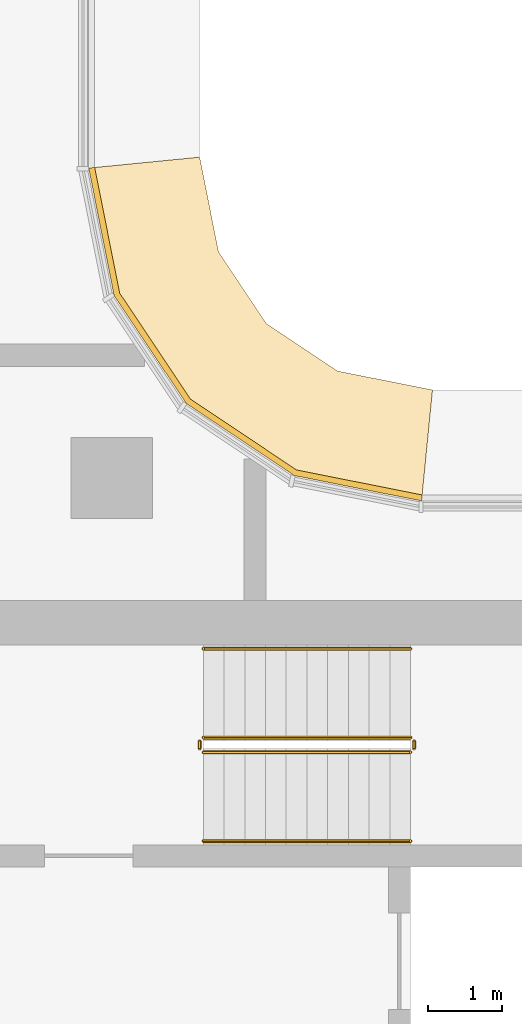
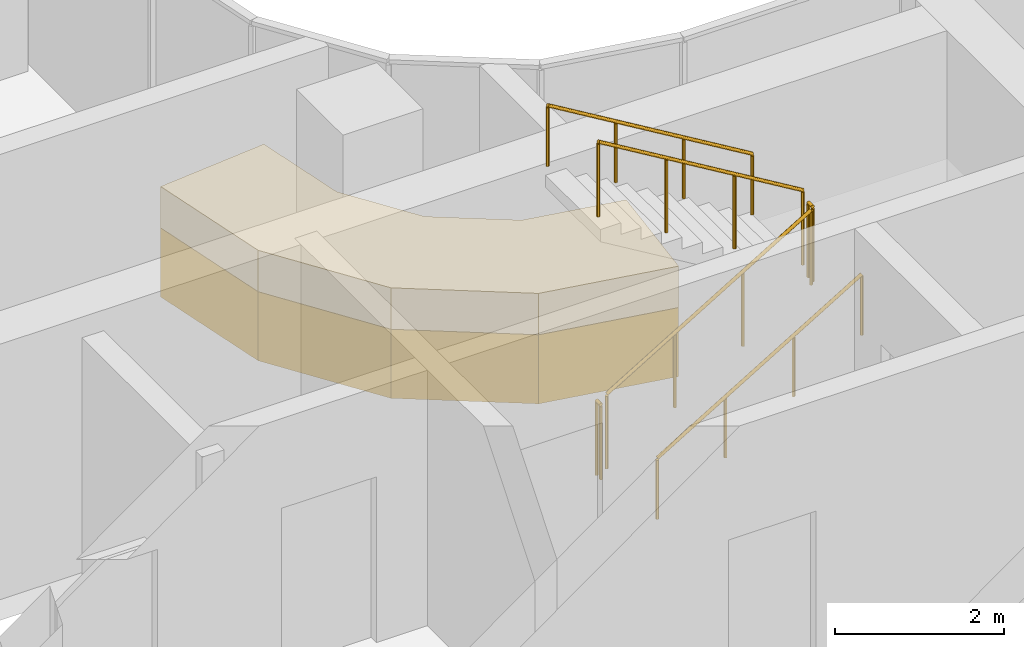
# One storey, part 19 of 24: 6 railings, 2 coverings.
"""IFC4 building model written with IfcOpenShell, lengths in metres."""

from ifc_helpers import new_model, si_unit, direction, frame, origin, origin_2d, place, context, subcontext, project, spatial, polyline, circle, outline, extrude, material, layer, layer_set, type_object, element, save


model = new_model("IFC4")

# Units and contexts
model_context = context("Model", 3, precision=1e-05, world=origin(), true_north=direction((0.0, 1.0)))
body_context = subcontext(model_context, "Body", "Model", "MODEL_VIEW")
ifc_project = project(units=[si_unit("LENGTHUNIT", "METRE"), si_unit("AREAUNIT", "SQUARE_METRE"), si_unit("VOLUMEUNIT", "CUBIC_METRE"), si_unit("PLANEANGLEUNIT", "RADIAN"), si_unit("MASSUNIT", "GRAM", prefix="KILO")], contexts=[model_context])

# Site, building, storey
site_placement = place(None, origin())
site = spatial("IfcSite", under=ifc_project, at=site_placement, CompositionType="ELEMENT")
building_placement = place(site_placement, origin())
building = spatial("IfcBuilding", under=site, at=building_placement, Name="Ogive Portal Towers", CompositionType="ELEMENT")
storey_placement = place(building_placement, frame((0.0, 0.0, 142.199951171875)))
storey = spatial("IfcBuildingStorey", under=building, at=storey_placement, Name="L34", CompositionType="ELEMENT", Elevation=142.199951171875)

# Railings
ifc_material_1 = material(Name="Stainless steel balustrade", Category="steel")
railing_type_1 = type_object("IfcRailingType", Name="INT-GUARD", PredefinedType="GUARDRAIL", material=ifc_material_1)
railing_1_placement = place(storey_placement, frame((52.550048828125, 37.60009765625, 0.168212890625)))
element("IfcRailing", 1, at=railing_1_placement, inside=storey, type_object=railing_type_1, Name="L34 ST-A2 stair guard 1", PredefinedType="GUARDRAIL", context=body_context, shape_type="SweptSolid", body=[
    extrude(circle(Radius=0.02392578125, at=origin_2d()), frame((0.0, 0.0, 1.076171875), z_axis=(0.857242210791, 0.0, 0.514913383045), x_axis=(0.0, 1.0, 0.0)), (0.0, 0.0, 1.0), 3.266357421875),
    extrude(circle(Radius=0.02099609375, at=origin_2d()), origin(), (0.0, 0.0, 1.0), 1.052001953125),
    extrude(circle(Radius=0.02099609375, at=origin_2d()), frame((0.933349609375, 0.0, 0.560546875)), (0.0, 0.0, 1.0), 1.052001953125),
    extrude(circle(Radius=0.02099609375, at=origin_2d()), frame((1.86669921875, 0.0, 1.121337890625)), (0.0, 0.0, 1.0), 1.052001953125),
    extrude(circle(Radius=0.02099609375, at=origin_2d()), frame((2.800048828125, 0.0, 1.681884765625)), (0.0, 0.0, 1.0), 1.052001953125),
])
railing_2_placement = place(storey_placement, frame((55.39990234375, 37.64990234375, 1.85009765625)))
element("IfcRailing", 2, at=railing_2_placement, inside=storey, type_object=railing_type_1, Name="L34 ST-A2 stair guard 2", PredefinedType="GUARDRAIL", context=body_context, shape_type="SweptSolid", body=[
    extrude(circle(Radius=0.02392578125, at=origin_2d()), frame((0.0, 0.0, 1.076171875), z_axis=(0.0, 1.0, 0.0), x_axis=(-1.0, 0.0, 0.0)), (0.0, 0.0, 1.0), 0.10009765625),
    extrude(circle(Radius=0.02099609375, at=origin_2d()), origin(), (0.0, 0.0, 1.0), 1.052001953125),
    extrude(circle(Radius=0.02099609375, at=origin_2d()), frame((0.0, 0.10009765625, 0.0)), (0.0, 0.0, 1.0), 1.052001953125),
])
railing_3_placement = place(storey_placement, frame((55.35009765625, 37.800048828125, 2.018310546875)))
element("IfcRailing", 3, at=railing_3_placement, inside=storey, type_object=railing_type_1, Name="L34 ST-A2 stair guard 3", PredefinedType="GUARDRAIL", context=body_context, shape_type="SweptSolid", body=[
    extrude(circle(Radius=0.02392578125, at=origin_2d()), frame((0.0, 0.0, 1.076171875), z_axis=(-0.857275202839, 0.0, 0.514858452973), x_axis=(0.0, -1.0, 0.0)), (0.0, 0.0, 1.0), 3.26611328125),
    extrude(circle(Radius=0.02099609375, at=origin_2d()), origin(), (0.0, 0.0, 1.0), 1.052001953125),
    extrude(circle(Radius=0.02099609375, at=origin_2d()), frame((-0.933349609375, 0.0, 0.560546875)), (0.0, 0.0, 1.0), 1.052001953125),
    extrude(circle(Radius=0.02099609375, at=origin_2d()), frame((-1.86669921875, 0.0, 1.12109375)), (0.0, 0.0, 1.0), 1.052001953125),
    extrude(circle(Radius=0.02099609375, at=origin_2d()), frame((-2.800048828125, 0.0, 1.681640625)), (0.0, 0.0, 1.0), 1.052001953125),
])
railing_4_placement = place(storey_placement, frame((52.5, 37.64990234375, 0.0)))
element("IfcRailing", 4, at=railing_4_placement, inside=storey, type_object=railing_type_1, Name="L34 ST-A2 stair guard 4", PredefinedType="GUARDRAIL", context=body_context, shape_type="SweptSolid", body=[
    extrude(circle(Radius=0.02392578125, at=origin_2d()), frame((0.0, 0.0, 1.076171875), z_axis=(0.0, 1.0, 0.0), x_axis=(-1.0, 0.0, 0.0)), (0.0, 0.0, 1.0), 0.10009765625),
    extrude(circle(Radius=0.02099609375, at=origin_2d()), origin(), (0.0, 0.0, 1.0), 1.052001953125),
    extrude(circle(Radius=0.02099609375, at=origin_2d()), frame((0.0, 0.10009765625, 0.0)), (0.0, 0.0, 1.0), 1.052001953125),
])
ifc_material_2 = material(Name="Stainless steel handrail", Category="steel")
railing_type_2 = type_object("IfcRailingType", Name="INT-HANDRAIL", PredefinedType="HANDRAIL", material=ifc_material_2)
railing_5_placement = place(storey_placement, frame((52.550048828125, 36.39990234375, 0.168212890625)))
element("IfcRailing", 5, at=railing_5_placement, inside=storey, type_object=railing_type_2, Name="L34 ST-A2 stair handrail 1", PredefinedType="HANDRAIL", context=body_context, shape_type="SweptSolid", body=[
    extrude(circle(Radius=0.02392578125, at=origin_2d()), frame((0.0, 0.0, 0.8759765625), z_axis=(0.857242210791, 0.0, 0.514913383045), x_axis=(0.0, 1.0, 0.0)), (0.0, 0.0, 1.0), 3.266357421875),
    extrude(circle(Radius=0.02099609375, at=origin_2d()), origin(), (0.0, 0.0, 1.0), 0.851806640625),
    extrude(circle(Radius=0.02099609375, at=origin_2d()), frame((0.933349609375, 0.0, 0.560546875)), (0.0, 0.0, 1.0), 0.851806640625),
    extrude(circle(Radius=0.02099609375, at=origin_2d()), frame((1.86669921875, 0.0, 1.121337890625)), (0.0, 0.0, 1.0), 0.851806640625),
    extrude(circle(Radius=0.02099609375, at=origin_2d()), frame((2.800048828125, 0.0, 1.681884765625)), (0.0, 0.0, 1.0), 0.851806640625),
])
railing_6_placement = place(storey_placement, frame((55.35009765625, 39.0, 2.018310546875)))
element("IfcRailing", 6, at=railing_6_placement, inside=storey, type_object=railing_type_2, Name="L34 ST-A2 stair handrail 2", PredefinedType="HANDRAIL", context=body_context, shape_type="SweptSolid", body=[
    extrude(circle(Radius=0.02392578125, at=origin_2d()), frame((0.0, 0.0, 0.8759765625), z_axis=(-0.857275202839, 0.0, 0.514858452973), x_axis=(0.0, -1.0, 0.0)), (0.0, 0.0, 1.0), 3.26611328125),
    extrude(circle(Radius=0.02099609375, at=origin_2d()), origin(), (0.0, 0.0, 1.0), 0.851806640625),
    extrude(circle(Radius=0.02099609375, at=origin_2d()), frame((-0.933349609375, 0.0, 0.560546875)), (0.0, 0.0, 1.0), 0.851806640625),
    extrude(circle(Radius=0.02099609375, at=origin_2d()), frame((-1.86669921875, 0.0, 1.12109375)), (0.0, 0.0, 1.0), 0.851806640625),
    extrude(circle(Radius=0.02099609375, at=origin_2d()), frame((-2.800048828125, 0.0, 1.681640625)), (0.0, 0.0, 1.0), 0.851806640625),
])

# Coverings
ifc_material_3 = material(Name="Limestone cladding on lightweight block wall", Category="masonry")
ifc_layer_1 = layer(ifc_material_3, 0.080078125)
ifc_layer_set_1 = layer_set([ifc_layer_1], Name="STONE SPANDREL 80")
covering_type_1 = type_object("IfcCoveringType", Name="STONE SPANDREL 80", PredefinedType="CLADDING", material=ifc_layer_set_1)
covering_1_placement = place(storey_placement, frame((0.0, 0.0, -1.599853515625)))
element("IfcCovering", 7, at=covering_1_placement, inside=storey, type_object=covering_type_1, Name="Stone spandrel A1-F10", PredefinedType="CLADDING", context=body_context, shape_type="SweptSolid", body=[
    extrude(outline(polyline([(55.5, 41.0), (53.77783203125, 41.342529296875), (52.318115234375, 42.318115234375), (51.342529296875, 43.77783203125), (51.0, 45.5), (51.080078125, 45.5078125), (51.41796875, 43.80908203125), (52.375732421875, 42.375732421875), (53.80908203125, 41.41796875), (55.5078125, 41.080078125), (55.5, 41.0)])), origin(), (0.0, 0.0, 1.0), 1.0),
])
ifc_layer_2 = layer(ifc_material_3, 0.60009765625)
ifc_layer_set_2 = layer_set([ifc_layer_2], Name="SUNSHADE LIP 600")
covering_type_2 = type_object("IfcCoveringType", Name="SUNSHADE LIP 600", PredefinedType="CLADDING", material=ifc_layer_set_2)
covering_2_placement = place(storey_placement, frame((0.0, 0.0, -0.599853515625)))
element("IfcCovering", 8, at=covering_2_placement, inside=storey, type_object=covering_type_2, Name="Sunshade lip A1-F10", PredefinedType="CLADDING", context=body_context, shape_type="SweptSolid", body=[
    extrude(outline(polyline([(55.5, 41.0), (53.77783203125, 41.342529296875), (52.318115234375, 42.318115234375), (51.342529296875, 43.77783203125), (51.0, 45.5), (52.5, 45.647705078125), (52.755615234375, 44.36328125), (53.3994140625, 43.3994140625), (54.36328125, 42.755615234375), (55.647705078125, 42.5), (55.5, 41.0)])), origin(), (0.0, 0.0, 1.0), 0.599853515625),
])

save(model, "model.ifc")
